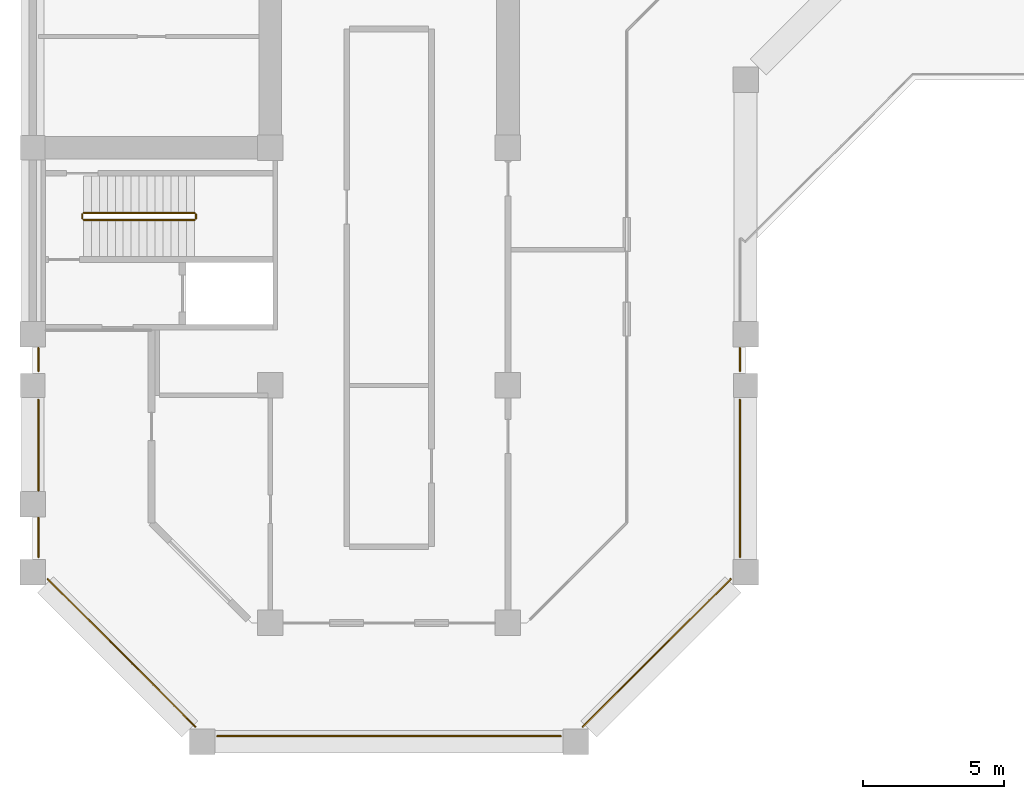
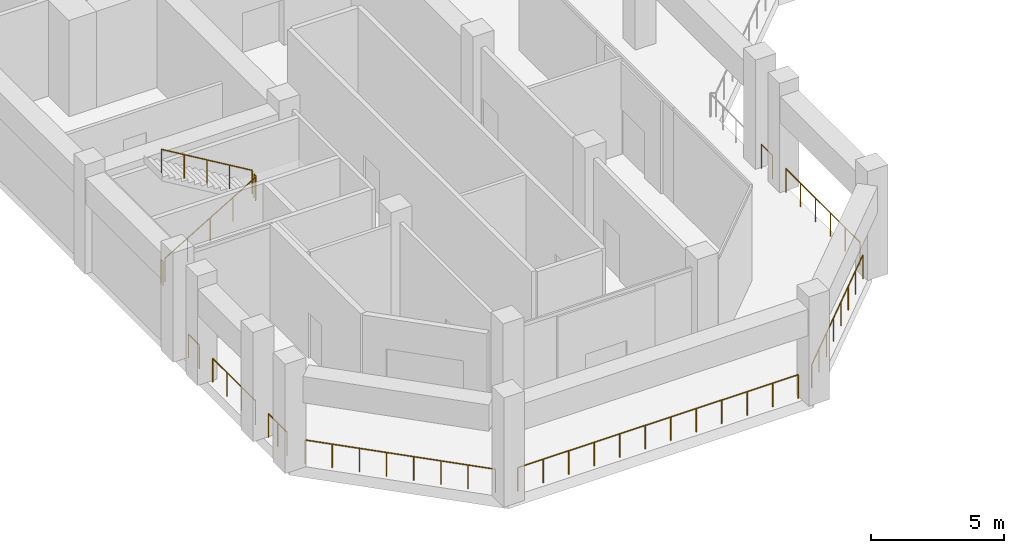
# One storey, part 10 of 14: 12 railings.
"""IFC4 building model written with IfcOpenShell, lengths in metres."""

from ifc_helpers import new_model, si_unit, direction, frame, origin, origin_2d, place, context, subcontext, project, spatial, circle, extrude, material, type_object, element, save


model = new_model("IFC4")

# Units and contexts
model_context = context("Model", 3, precision=1e-05, world=origin(), true_north=direction((0.0, 1.0)))
body_context = subcontext(model_context, "Body", "Model", "MODEL_VIEW")
ifc_project = project(units=[si_unit("LENGTHUNIT", "METRE"), si_unit("AREAUNIT", "SQUARE_METRE"), si_unit("VOLUMEUNIT", "CUBIC_METRE"), si_unit("PLANEANGLEUNIT", "RADIAN"), si_unit("MASSUNIT", "GRAM", prefix="KILO")], contexts=[model_context])

# Site, building, storey
site_placement = place(None, origin())
site = spatial("IfcSite", under=ifc_project, at=site_placement, CompositionType="ELEMENT")
building_placement = place(site_placement, origin())
building = spatial("IfcBuilding", under=site, at=building_placement, Name="Kawkab Arch Medical Tower", CompositionType="ELEMENT")
storey_placement = place(building_placement, frame((0.0, 0.0, 213.0)))
storey = spatial("IfcBuildingStorey", under=building, at=storey_placement, Name="L49", CompositionType="ELEMENT", Elevation=213.0)

# Railings
ifc_material_1 = material(Name="Bronze anodised aluminium guard", Category="aluminium")
railing_type_1 = type_object("IfcRailingType", Name="Loggia and terrace guard 1100", PredefinedType="GUARDRAIL", material=ifc_material_1)
railing_1_placement = place(storey_placement, frame((25.0, -40.679931640625, 0.0)))
element("IfcRailing", 1, at=railing_1_placement, inside=storey, type_object=railing_type_1, Name="Guard L49.REF-01.1.6", PredefinedType="GUARDRAIL", context=body_context, shape_type="SweptSolid", body=[
    extrude(circle(Radius=0.02392578125, at=origin_2d()), frame((0.0, 0.0, 1.076171875), z_axis=(0.0, -1.0, 0.0), x_axis=(1.0, 0.0, 0.0)), (0.0, 0.0, 1.0), 0.815185546875),
    extrude(circle(Radius=0.02099609375, at=origin_2d()), origin(), (0.0, 0.0, 1.0), 1.052001953125),
    extrude(circle(Radius=0.02099609375, at=origin_2d()), frame((0.0, -0.815185546875, 0.0)), (0.0, 0.0, 1.0), 1.052001953125),
])
railing_2_placement = place(storey_placement, frame((25.0, -42.5048828125, 0.0)))
element("IfcRailing", 2, at=railing_2_placement, inside=storey, type_object=railing_type_1, Name="Guard L49.REF-01.1.7", PredefinedType="GUARDRAIL", context=body_context, shape_type="SweptSolid", body=[
    extrude(circle(Radius=0.02392578125, at=origin_2d()), frame((0.0, 0.0, 1.076171875), z_axis=(0.0, -1.0, 0.0), x_axis=(1.0, 0.0, 0.0)), (0.0, 0.0, 1.0), 5.565185546875),
    extrude(circle(Radius=0.02099609375, at=origin_2d()), origin(), (0.0, 0.0, 1.0), 1.052001953125),
    extrude(circle(Radius=0.02099609375, at=origin_2d()), frame((0.0, -1.113037109375, 0.0)), (0.0, 0.0, 1.0), 1.052001953125),
    extrude(circle(Radius=0.02099609375, at=origin_2d()), frame((0.0, -2.22607421875, 0.0)), (0.0, 0.0, 1.0), 1.052001953125),
    extrude(circle(Radius=0.02099609375, at=origin_2d()), frame((0.0, -3.339111328125, 0.0)), (0.0, 0.0, 1.0), 1.052001953125),
    extrude(circle(Radius=0.02099609375, at=origin_2d()), frame((0.0, -4.4521484375, 0.0)), (0.0, 0.0, 1.0), 1.052001953125),
    extrude(circle(Radius=0.02099609375, at=origin_2d()), frame((0.0, -5.565185546875, 0.0)), (0.0, 0.0, 1.0), 1.052001953125),
])
railing_3_placement = place(storey_placement, frame((24.669921875, -48.846923828125, 0.0)))
element("IfcRailing", 3, at=railing_3_placement, inside=storey, type_object=railing_type_1, Name="Guard L49.REF-01.1.8", PredefinedType="GUARDRAIL", context=body_context, shape_type="SweptSolid", body=[
    extrude(circle(Radius=0.02392578125, at=origin_2d()), frame((0.0, 0.0, 1.076171875), z_axis=(-0.707090254787, -0.7071233072, 0.0), x_axis=(0.7071233072, -0.707090254787, 0.0)), (0.0, 0.0, 1.0), 7.386474609375),
    extrude(circle(Radius=0.02099609375, at=origin_2d()), origin(), (0.0, 0.0, 1.0), 1.052001953125),
    extrude(circle(Radius=0.02099609375, at=origin_2d()), frame((-0.74609375, -0.74609375, 0.0)), (0.0, 0.0, 1.0), 1.052001953125),
    extrude(circle(Radius=0.02099609375, at=origin_2d()), frame((-1.4921875, -1.492431640625, 0.0)), (0.0, 0.0, 1.0), 1.052001953125),
    extrude(circle(Radius=0.02099609375, at=origin_2d()), frame((-2.23828125, -2.238525390625, 0.0)), (0.0, 0.0, 1.0), 1.052001953125),
    extrude(circle(Radius=0.02099609375, at=origin_2d()), frame((-2.984619140625, -2.984619140625, 0.0)), (0.0, 0.0, 1.0), 1.052001953125),
    extrude(circle(Radius=0.02099609375, at=origin_2d()), frame((-3.730712890625, -3.730712890625, 0.0)), (0.0, 0.0, 1.0), 1.052001953125),
    extrude(circle(Radius=0.02099609375, at=origin_2d()), frame((-4.476806640625, -4.47705078125, 0.0)), (0.0, 0.0, 1.0), 1.052001953125),
    extrude(circle(Radius=0.02099609375, at=origin_2d()), frame((-5.222900390625, -5.22314453125, 0.0)), (0.0, 0.0, 1.0), 1.052001953125),
])
railing_4_placement = place(storey_placement, frame((18.669921875, -54.39990234375, 0.0)))
element("IfcRailing", 4, at=railing_4_placement, inside=storey, type_object=railing_type_1, Name="Guard L49.REF-01.1.9", PredefinedType="GUARDRAIL", context=body_context, shape_type="SweptSolid", body=[
    extrude(circle(Radius=0.02392578125, at=origin_2d()), frame((0.0, 0.0, 1.076171875), z_axis=(-1.0, 0.0, 0.0), x_axis=(0.0, -1.0, 0.0)), (0.0, 0.0, 1.0), 12.139892578125),
    extrude(circle(Radius=0.02099609375, at=origin_2d()), origin(), (0.0, 0.0, 1.0), 1.052001953125),
    extrude(circle(Radius=0.02099609375, at=origin_2d()), frame((-1.103515625, 0.0, 0.0)), (0.0, 0.0, 1.0), 1.052001953125),
    extrude(circle(Radius=0.02099609375, at=origin_2d()), frame((-2.207275390625, 0.0, 0.0)), (0.0, 0.0, 1.0), 1.052001953125),
    extrude(circle(Radius=0.02099609375, at=origin_2d()), frame((-3.310791015625, 0.0, 0.0)), (0.0, 0.0, 1.0), 1.052001953125),
    extrude(circle(Radius=0.02099609375, at=origin_2d()), frame((-4.41455078125, 0.0, 0.0)), (0.0, 0.0, 1.0), 1.052001953125),
    extrude(circle(Radius=0.02099609375, at=origin_2d()), frame((-5.51806640625, 0.0, 0.0)), (0.0, 0.0, 1.0), 1.052001953125),
    extrude(circle(Radius=0.02099609375, at=origin_2d()), frame((-6.621826171875, 0.0, 0.0)), (0.0, 0.0, 1.0), 1.052001953125),
    extrude(circle(Radius=0.02099609375, at=origin_2d()), frame((-7.725341796875, 0.0, 0.0)), (0.0, 0.0, 1.0), 1.052001953125),
    extrude(circle(Radius=0.02099609375, at=origin_2d()), frame((-8.8291015625, 0.0, 0.0)), (0.0, 0.0, 1.0), 1.052001953125),
    extrude(circle(Radius=0.02099609375, at=origin_2d()), frame((-9.9326171875, 0.0, 0.0)), (0.0, 0.0, 1.0), 1.052001953125),
    extrude(circle(Radius=0.02099609375, at=origin_2d()), frame((-11.036376953125, 0.0, 0.0)), (0.0, 0.0, 1.0), 1.052001953125),
    extrude(circle(Radius=0.02099609375, at=origin_2d()), frame((-12.139892578125, 0.0, 0.0)), (0.0, 0.0, 1.0), 1.052001953125),
])
railing_5_placement = place(storey_placement, frame((5.7529296875, -54.070068359375, 0.0)))
element("IfcRailing", 5, at=railing_5_placement, inside=storey, type_object=railing_type_1, Name="Guard L49.REF-01.1.10", PredefinedType="GUARDRAIL", context=body_context, shape_type="SweptSolid", body=[
    extrude(circle(Radius=0.02392578125, at=origin_2d()), frame((0.0, 0.0, 1.076171875), z_axis=(-0.707090254787, 0.7071233072, 0.0), x_axis=(-0.7071233072, -0.707090254787, 0.0)), (0.0, 0.0, 1.0), 7.386474609375),
    extrude(circle(Radius=0.02099609375, at=origin_2d()), origin(), (0.0, 0.0, 1.0), 1.052001953125),
    extrude(circle(Radius=0.02099609375, at=origin_2d()), frame((-0.74609375, 0.74609375, 0.0)), (0.0, 0.0, 1.0), 1.052001953125),
    extrude(circle(Radius=0.02099609375, at=origin_2d()), frame((-1.4921875, 1.492431640625, 0.0)), (0.0, 0.0, 1.0), 1.052001953125),
    extrude(circle(Radius=0.02099609375, at=origin_2d()), frame((-2.23828125, 2.238525390625, 0.0)), (0.0, 0.0, 1.0), 1.052001953125),
    extrude(circle(Radius=0.02099609375, at=origin_2d()), frame((-2.984619140625, 2.984619140625, 0.0)), (0.0, 0.0, 1.0), 1.052001953125),
    extrude(circle(Radius=0.02099609375, at=origin_2d()), frame((-3.730712890625, 3.730712890625, 0.0)), (0.0, 0.0, 1.0), 1.052001953125),
    extrude(circle(Radius=0.02099609375, at=origin_2d()), frame((-4.476806640625, 4.47705078125, 0.0)), (0.0, 0.0, 1.0), 1.052001953125),
    extrude(circle(Radius=0.02099609375, at=origin_2d()), frame((-5.222900390625, 5.22314453125, 0.0)), (0.0, 0.0, 1.0), 1.052001953125),
])
railing_6_placement = place(storey_placement, frame((0.199951171875, -48.070068359375, 0.0)))
element("IfcRailing", 6, at=railing_6_placement, inside=storey, type_object=railing_type_1, Name="Guard L49.REF-01.1.11", PredefinedType="GUARDRAIL", context=body_context, shape_type="SweptSolid", body=[
    extrude(circle(Radius=0.02392578125, at=origin_2d()), frame((0.0, 0.0, 1.076171875), z_axis=(0.0, 1.0, 0.0), x_axis=(-1.0, 0.0, 0.0)), (0.0, 0.0, 1.0), 1.39013671875),
    extrude(circle(Radius=0.02099609375, at=origin_2d()), origin(), (0.0, 0.0, 1.0), 1.052001953125),
    extrude(circle(Radius=0.02099609375, at=origin_2d()), frame((0.0, 0.695068359375, 0.0)), (0.0, 0.0, 1.0), 1.052001953125),
    extrude(circle(Radius=0.02099609375, at=origin_2d()), frame((0.0, 1.39013671875, 0.0)), (0.0, 0.0, 1.0), 1.052001953125),
])
railing_7_placement = place(storey_placement, frame((0.199951171875, -45.719970703125, 0.0)))
element("IfcRailing", 7, at=railing_7_placement, inside=storey, type_object=railing_type_1, Name="Guard L49.REF-01.1.12", PredefinedType="GUARDRAIL", context=body_context, shape_type="SweptSolid", body=[
    extrude(circle(Radius=0.02392578125, at=origin_2d()), frame((0.0, 0.0, 1.076171875), z_axis=(0.0, 1.0, 0.0), x_axis=(-1.0, 0.0, 0.0)), (0.0, 0.0, 1.0), 3.215087890625),
    extrude(circle(Radius=0.02099609375, at=origin_2d()), origin(), (0.0, 0.0, 1.0), 1.052001953125),
    extrude(circle(Radius=0.02099609375, at=origin_2d()), frame((0.0, 1.07177734375, 0.0)), (0.0, 0.0, 1.0), 1.052001953125),
    extrude(circle(Radius=0.02099609375, at=origin_2d()), frame((0.0, 2.143310546875, 0.0)), (0.0, 0.0, 1.0), 1.052001953125),
    extrude(circle(Radius=0.02099609375, at=origin_2d()), frame((0.0, 3.215087890625, 0.0)), (0.0, 0.0, 1.0), 1.052001953125),
])
railing_8_placement = place(storey_placement, frame((0.199951171875, -41.4951171875, 0.0)))
element("IfcRailing", 8, at=railing_8_placement, inside=storey, type_object=railing_type_1, Name="Guard L49.REF-01.1.13", PredefinedType="GUARDRAIL", context=body_context, shape_type="SweptSolid", body=[
    extrude(circle(Radius=0.02392578125, at=origin_2d()), frame((0.0, 0.0, 1.076171875), z_axis=(0.0, 1.0, 0.0), x_axis=(-1.0, 0.0, 0.0)), (0.0, 0.0, 1.0), 0.815185546875),
    extrude(circle(Radius=0.02099609375, at=origin_2d()), origin(), (0.0, 0.0, 1.0), 1.052001953125),
    extrude(circle(Radius=0.02099609375, at=origin_2d()), frame((0.0, 0.815185546875, 0.0)), (0.0, 0.0, 1.0), 1.052001953125),
])
ifc_material_2 = material(Name="Stainless steel", Category="steel")
railing_type_2 = type_object("IfcRailingType", Name="Stair guard 1100", PredefinedType="GUARDRAIL", material=ifc_material_2)
railing_9_placement = place(storey_placement, frame((1.800048828125, -36.14990234375, 0.166748046875)))
element("IfcRailing", 9, at=railing_9_placement, inside=storey, type_object=railing_type_2, Name="L49 ST6 stair guard 1", PredefinedType="GUARDRAIL", context=body_context, shape_type="SweptSolid", body=[
    extrude(circle(Radius=0.02392578125, at=origin_2d()), frame((0.0, 0.0, 1.076171875), z_axis=(0.859296244711, 0.0, 0.511478214419), x_axis=(0.0, 1.0, 0.0)), (0.0, 0.0, 1.0), 4.561767578125),
    extrude(circle(Radius=0.02099609375, at=origin_2d()), origin(), (0.0, 0.0, 1.0), 1.052001953125),
    extrude(circle(Radius=0.02099609375, at=origin_2d()), frame((0.97998046875, 0.0, 0.583251953125)), (0.0, 0.0, 1.0), 1.052001953125),
    extrude(circle(Radius=0.02099609375, at=origin_2d()), frame((1.9599609375, 0.0, 1.16650390625)), (0.0, 0.0, 1.0), 1.052001953125),
    extrude(circle(Radius=0.02099609375, at=origin_2d()), frame((2.93994140625, 0.0, 1.75)), (0.0, 0.0, 1.0), 1.052001953125),
    extrude(circle(Radius=0.02099609375, at=origin_2d()), frame((3.919921875, 0.0, 2.333251953125)), (0.0, 0.0, 1.0), 1.052001953125),
])
railing_10_placement = place(storey_placement, frame((5.77001953125, -36.10009765625, 2.5)))
element("IfcRailing", 10, at=railing_10_placement, inside=storey, type_object=railing_type_2, Name="L49 ST6 stair guard 2", PredefinedType="GUARDRAIL", context=body_context, shape_type="SweptSolid", body=[
    extrude(circle(Radius=0.02392578125, at=origin_2d()), frame((0.0, 0.0, 1.076171875), z_axis=(0.0, 1.0, 0.0), x_axis=(-1.0, 0.0, 0.0)), (0.0, 0.0, 1.0), 0.150146484375),
    extrude(circle(Radius=0.02099609375, at=origin_2d()), origin(), (0.0, 0.0, 1.0), 1.052001953125),
    extrude(circle(Radius=0.02099609375, at=origin_2d()), frame((0.0, 0.150146484375, 0.0)), (0.0, 0.0, 1.0), 1.052001953125),
])
railing_11_placement = place(storey_placement, frame((5.719970703125, -35.89990234375, 2.666748046875)))
element("IfcRailing", 11, at=railing_11_placement, inside=storey, type_object=railing_type_2, Name="L49 ST6 stair guard 3", PredefinedType="GUARDRAIL", context=body_context, shape_type="SweptSolid", body=[
    extrude(circle(Radius=0.02392578125, at=origin_2d()), frame((0.0, 0.0, 1.076171875), z_axis=(-0.859296244711, 0.0, 0.511478214419), x_axis=(0.0, -1.0, 0.0)), (0.0, 0.0, 1.0), 4.561767578125),
    extrude(circle(Radius=0.02099609375, at=origin_2d()), origin(), (0.0, 0.0, 1.0), 1.052001953125),
    extrude(circle(Radius=0.02099609375, at=origin_2d()), frame((-0.97998046875, 0.0, 0.583251953125)), (0.0, 0.0, 1.0), 1.052001953125),
    extrude(circle(Radius=0.02099609375, at=origin_2d()), frame((-1.9599609375, 0.0, 1.16650390625)), (0.0, 0.0, 1.0), 1.052001953125),
    extrude(circle(Radius=0.02099609375, at=origin_2d()), frame((-2.93994140625, 0.0, 1.75)), (0.0, 0.0, 1.0), 1.052001953125),
    extrude(circle(Radius=0.02099609375, at=origin_2d()), frame((-3.919921875, 0.0, 2.333251953125)), (0.0, 0.0, 1.0), 1.052001953125),
])
railing_12_placement = place(storey_placement, frame((1.75, -36.10009765625, 0.0)))
element("IfcRailing", 12, at=railing_12_placement, inside=storey, type_object=railing_type_2, Name="L49 ST6 stair guard 4", PredefinedType="GUARDRAIL", context=body_context, shape_type="SweptSolid", body=[
    extrude(circle(Radius=0.02392578125, at=origin_2d()), frame((0.0, 0.0, 1.076171875), z_axis=(0.0, 1.0, 0.0), x_axis=(-1.0, 0.0, 0.0)), (0.0, 0.0, 1.0), 0.150146484375),
    extrude(circle(Radius=0.02099609375, at=origin_2d()), origin(), (0.0, 0.0, 1.0), 1.052001953125),
    extrude(circle(Radius=0.02099609375, at=origin_2d()), frame((0.0, 0.150146484375, 0.0)), (0.0, 0.0, 1.0), 1.052001953125),
])

save(model, "model.ifc")
